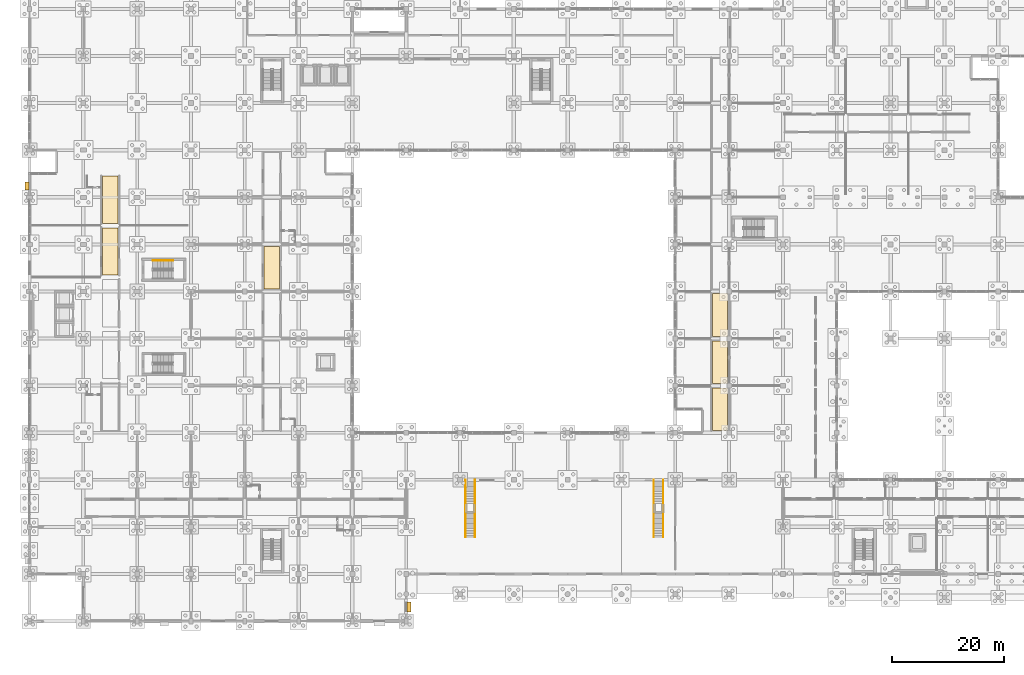
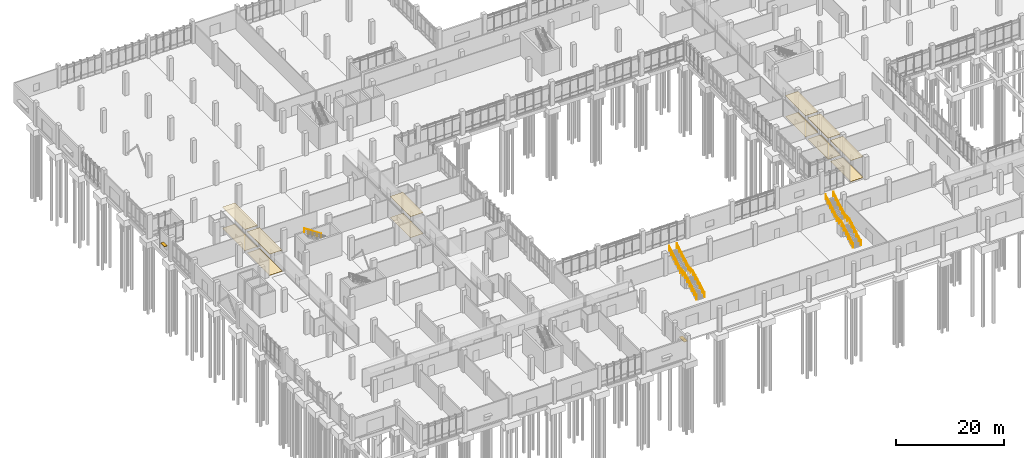
# One storey, part 125 of 136: 12 coverings, 9 railings, 2 shading devices.
"""IFC4 building model written with IfcOpenShell, lengths in metres."""

import ifcopenshell
import ifcopenshell.guid

model = None  # the IFC model being written
_history = None  # IfcOwnerHistory: only IFC2X3 demands one
_inside = {}  # id of a spatial element -> (the spatial element, [elements in it])
_under = {}  # id of a project, library or spatial element -> (it, [spatial elements below it])
_declared = {}  # id of a project -> (the project, [libraries it declares])
_typed = {}  # id of a type object -> (the type object, [elements of that type])
_made_of = {}  # id of a material, layer set ... -> (it, [elements and type objects made of it])


def new_model(schema):
    """Start an empty IFC model of exactly this schema.

    Asked for "IFC4X3", IfcOpenShell would pick the latest addendum, in which some entities
    have other attributes; the version numbers below select the first issue.
    IFC2X3 requires an IfcOwnerHistory on every rooted entity: one is made here for all.
    """
    global model, _history
    if schema == "IFC4X3":
        model = ifcopenshell.file(schema_version=(4, 3, 0, 0))
    else:
        model = ifcopenshell.file(schema=schema)
    _inside.clear()
    _under.clear()
    _declared.clear()
    _typed.clear()
    _made_of.clear()
    _history = None
    if model.schema == "IFC2X3":
        org = make("IfcOrganization", Name="unknown")
        user = make(
            "IfcPersonAndOrganization",
            ThePerson=make("IfcPerson", FamilyName="unknown"),
            TheOrganization=org,
        )
        app = make(
            "IfcApplication",
            ApplicationDeveloper=org,
            Version="unknown",
            ApplicationFullName="unknown",
            ApplicationIdentifier="unknown",
        )
        _history = make(
            "IfcOwnerHistory",
            OwningUser=user,
            OwningApplication=app,
            ChangeAction="ADDED",
            CreationDate=0,
        )
    return model


def make(cls, **values):
    """One entity of the class cls with the attributes given. An attribute that is None is left unset."""
    return model.create_entity(
        cls, **{name: value for name, value in values.items() if value is not None}
    )


def rooted(cls, **values):
    """An entity with a GlobalId (a new one), such as an element, a storey or a relation."""
    return make(cls, GlobalId=ifcopenshell.guid.new(), OwnerHistory=_history, **values)


def si_unit(unit_type, name, prefix=None):
    """IfcSIUnit, for example si_unit("LENGTHUNIT", "METRE", prefix="MILLI")."""
    return make("IfcSIUnit", UnitType=unit_type, Prefix=prefix, Name=name)


def assignment(units):
    """IfcUnitAssignment: the units of a project."""
    return None if units is None else make("IfcUnitAssignment", Units=units)


def point(xyz):
    """IfcCartesianPoint."""
    return None if xyz is None else make("IfcCartesianPoint", Coordinates=xyz)


def direction(xyz):
    """IfcDirection."""
    return None if xyz is None else make("IfcDirection", DirectionRatios=xyz)


def frame(location, z_axis=None, x_axis=None):
    """IfcAxis2Placement3D, a coordinate frame: its origin and axes. An axis left out is left unset."""
    return make(
        "IfcAxis2Placement3D",
        Location=point(location),
        Axis=direction(z_axis),
        RefDirection=direction(x_axis),
    )


def frame_2d(location, x_axis=None):
    """IfcAxis2Placement2D, a coordinate frame in the plane: its origin and x axis."""
    return make(
        "IfcAxis2Placement2D", Location=point(location), RefDirection=direction(x_axis)
    )


def origin():
    """The frame at (0, 0, 0) with its axes left unset."""
    return frame((0.0, 0.0, 0.0))


def origin_2d():
    """The frame at (0, 0) in the plane with its x axis left unset."""
    return frame_2d((0.0, 0.0))


def place(relative_to, where):
    """IfcLocalPlacement: puts the frame where relative to a parent placement (None: the world)."""
    return make(
        "IfcLocalPlacement", PlacementRelTo=relative_to, RelativePlacement=where
    )


def context(
    kind, dimensions, precision=None, world=None, true_north=None, identifier=None
):
    """IfcGeometricRepresentationContext, for example the 3D "Model" context."""
    return make(
        "IfcGeometricRepresentationContext",
        ContextIdentifier=identifier,
        ContextType=kind,
        CoordinateSpaceDimension=dimensions,
        Precision=precision,
        WorldCoordinateSystem=world,
        TrueNorth=true_north,
    )


def subcontext(parent, identifier, kind, view, scale=None):
    """IfcGeometricRepresentationSubContext, for example "Body" below "Model"."""
    return make(
        "IfcGeometricRepresentationSubContext",
        ContextIdentifier=identifier,
        ContextType=kind,
        ParentContext=parent,
        TargetScale=scale,
        TargetView=view,
    )


def project(units=None, contexts=None):
    """IfcProject with its units and contexts."""
    return rooted(
        "IfcProject",
        Name="project",
        RepresentationContexts=contexts,
        UnitsInContext=assignment(units),
    )


def spatial(cls, under=None, at=None, **own):
    """A site, building, storey or space (cls), placed at a placement, below another one or the project."""
    s = rooted(cls, ObjectPlacement=at, **own)
    if under is not None:
        _under.setdefault(under.id(), (under, []))[1].append(s)
    return s


def polyline(points):
    """IfcPolyline through the points."""
    return make("IfcPolyline", Points=[point(p) for p in points])


def profile(cls, at=None, kind="AREA", **sizes):
    """A parametric profile (cls). Its sizes go by their IFC names, for example OverallWidth=200.0."""
    return make(cls, ProfileType=kind, Position=at, **sizes)


def rectangle(**sizes):
    """IfcRectangleProfileDef."""
    return profile("IfcRectangleProfileDef", **sizes)


def circle(**sizes):
    """IfcCircleProfileDef."""
    return profile("IfcCircleProfileDef", **sizes)


def outline(outer, holes=None, kind="AREA"):
    """IfcArbitraryClosedProfileDef: a profile drawn as a closed curve; with holes, ...WithVoids."""
    if holes is None:
        return make("IfcArbitraryClosedProfileDef", ProfileType=kind, OuterCurve=outer)
    return make(
        "IfcArbitraryProfileDefWithVoids",
        ProfileType=kind,
        OuterCurve=outer,
        InnerCurves=holes,
    )


def extrude(swept, where, along, depth):
    """IfcExtrudedAreaSolid: the profile swept, set in the frame where, extruded along a direction by depth."""
    return make(
        "IfcExtrudedAreaSolid",
        SweptArea=swept,
        Position=where,
        ExtrudedDirection=direction(along),
        Depth=depth,
    )


def shape(context_of_items, identifier, shape_type, items):
    """IfcShapeRepresentation: the items that make up one representation, for example the "Body"."""
    return make(
        "IfcShapeRepresentation",
        ContextOfItems=context_of_items,
        RepresentationIdentifier=identifier,
        RepresentationType=shape_type,
        Items=items,
    )


def material(Name=None, Category=None):
    """IfcMaterial."""
    return make("IfcMaterial", Name=Name, Category=Category)


def layer(
    of_material, thickness, ventilated=None, Name=None, Category=None, Priority=None
):
    """IfcMaterialLayer: one layer of a wall or slab, of a material (None: an air gap)."""
    return make(
        "IfcMaterialLayer",
        Material=of_material,
        LayerThickness=thickness,
        IsVentilated=ventilated,
        Name=Name,
        Category=Category,
        Priority=Priority,
    )


def layer_set(layers, Name=None):
    """IfcMaterialLayerSet."""
    return make("IfcMaterialLayerSet", MaterialLayers=layers, LayerSetName=Name)


def made_of(thing, what):
    """Note that an element or type object is made of a material, layer set ...; save() writes the relation."""
    if what is not None:
        _made_of.setdefault(what.id(), (what, []))[1].append(thing)
    return thing


def type_object(cls, material=None, **own):
    """A type object (cls), such as IfcWallType, which elements share."""
    return made_of(rooted(cls, **own), material)


def element(
    cls,
    number,
    at=None,
    inside=None,
    cuts=None,
    type_object=None,
    material=None,
    context=None,
    identifier="Body",
    shape_type=None,
    held_by="IfcProductDefinitionShape",
    body=None,
    shapes=None,
    **own,
):
    """One element of the class cls, such as IfcWall. Its Tag is "e" and its number.

    at: its placement. inside: the storey or other place that contains it. cuts: it is an
    opening in that element (IfcRelVoidsElement). A single representation is given by context,
    identifier, shape_type and body (its items); several are given by shapes. held_by: the class
    of the entity that holds the representations. save() writes the other relations.
    """
    e = rooted(cls, Tag="e%d" % number, ObjectPlacement=at, **own)
    if body is not None:
        shapes = [shape(context, identifier, shape_type, body)]
    if shapes is not None:
        e.Representation = make(held_by, Representations=shapes)
    if inside is not None:
        _inside.setdefault(inside.id(), (inside, []))[1].append(e)
    if cuts is not None:
        rooted(
            "IfcRelVoidsElement", RelatingBuildingElement=cuts, RelatedOpeningElement=e
        )
    if type_object is not None:
        _typed.setdefault(type_object.id(), (type_object, []))[1].append(e)
    return made_of(e, material)


def aggregate(whole, parts):
    """IfcRelAggregates: a whole, such as a stair, and the parts it consists of."""
    return rooted("IfcRelAggregates", RelatingObject=whole, RelatedObjects=parts)


def save(model, path):
    """Write the relations noted so far, then the file.

    IfcRelAggregates (storeys below a building ...), IfcRelContainedInSpatialStructure (elements
    in a storey), IfcRelDefinesByType, IfcRelAssociatesMaterial and IfcRelDeclares: one each for
    every whole, place, type object, material and project.
    """
    for whole, parts in _under.values():
        aggregate(whole, parts)
    for where, things in _inside.values():
        rooted(
            "IfcRelContainedInSpatialStructure",
            RelatedElements=things,
            RelatingStructure=where,
        )
    for kind, things in _typed.values():
        rooted("IfcRelDefinesByType", RelatedObjects=things, RelatingType=kind)
    for what, things in _made_of.values():
        rooted("IfcRelAssociatesMaterial", RelatedObjects=things, RelatingMaterial=what)
    for by, libraries in _declared.values():
        rooted("IfcRelDeclares", RelatingContext=by, RelatedDefinitions=libraries)
    model.write(path)


model = new_model("IFC4")

# Units and contexts
model_context = context("Model", 3, precision=1e-05, world=origin(), true_north=direction((0.0, 1.0)))
body_context = subcontext(model_context, "Body", "Model", "MODEL_VIEW")
ifc_project = project(units=[si_unit("LENGTHUNIT", "METRE"), si_unit("AREAUNIT", "SQUARE_METRE"), si_unit("VOLUMEUNIT", "CUBIC_METRE"), si_unit("PLANEANGLEUNIT", "RADIAN"), si_unit("MASSUNIT", "GRAM", prefix="KILO")], contexts=[model_context])

# Site, building, storey
site_placement = place(None, origin())
site = spatial("IfcSite", under=ifc_project, at=site_placement, CompositionType="ELEMENT")
building_placement = place(site_placement, origin())
building = spatial("IfcBuilding", under=site, at=building_placement, Name="Oolite Switchyard Hospital", CompositionType="ELEMENT")
storey_placement = place(building_placement, origin())
storey = spatial("IfcBuildingStorey", under=building, at=storey_placement, Name="L00", CompositionType="ELEMENT", Elevation=0.0)

# Coverings
ifc_material_1 = material(Name="Hygienic washable mineral-fibre acoustic ceiling")
ifc_layer_1 = layer(ifc_material_1, 0.0400390625)
ifc_layer_set_1 = layer_set([ifc_layer_1], Name="COV-CEIL-AC60")
covering_type_1 = type_object("IfcCoveringType", Name="COV-CEIL-AC60", PredefinedType="CEILING", material=ifc_layer_set_1)
covering_1_placement = place(storey_placement, frame((0.0, 0.0, 4.760009765625)))
element("IfcCovering", 1, at=covering_1_placement, inside=storey, type_object=covering_type_1, Name="L00 Diagnostic Imaging Corridor Ceiling 4", PredefinedType="CEILING", context=body_context, shape_type="SweptSolid", body=[
    extrude(outline(polyline([(41.85009765625, 59.199951171875), (44.550048828125, 59.199951171875), (44.550048828125, 66.800048828125), (41.85009765625, 66.800048828125), (41.85009765625, 59.199951171875)])), origin(), (0.0, 0.0, 1.0), 0.0400390625),
])
covering_2_placement = place(storey_placement, frame((0.0, 0.0, 4.760009765625)))
element("IfcCovering", 2, at=covering_2_placement, inside=storey, type_object=covering_type_1, Name="L00 East Cloister Clinical and Exit Corridor L00 Ceiling 1", PredefinedType="CEILING", context=body_context, shape_type="SweptSolid", body=[
    extrude(outline(polyline([(121.85009765625, 34.0), (124.550048828125, 34.0), (124.550048828125, 41.60009765625), (121.85009765625, 41.60009765625), (121.85009765625, 34.0)])), origin(), (0.0, 0.0, 1.0), 0.0400390625),
])
covering_3_placement = place(storey_placement, frame((0.0, 0.0, 4.760009765625)))
element("IfcCovering", 3, at=covering_3_placement, inside=storey, type_object=covering_type_1, Name="L00 East Cloister Clinical and Exit Corridor L00 Ceiling 2", PredefinedType="CEILING", context=body_context, shape_type="SweptSolid", body=[
    extrude(outline(polyline([(121.85009765625, 42.39990234375), (124.550048828125, 42.39990234375), (124.550048828125, 50.0), (121.85009765625, 50.0), (121.85009765625, 42.39990234375)])), origin(), (0.0, 0.0, 1.0), 0.0400390625),
])
covering_4_placement = place(storey_placement, frame((0.0, 0.0, 4.760009765625)))
element("IfcCovering", 4, at=covering_4_placement, inside=storey, type_object=covering_type_1, Name="L00 East Cloister Clinical and Exit Corridor L00 Ceiling 3", PredefinedType="CEILING", context=body_context, shape_type="SweptSolid", body=[
    extrude(outline(polyline([(121.85009765625, 50.800048828125), (124.550048828125, 50.800048828125), (124.550048828125, 58.39990234375), (121.85009765625, 58.39990234375), (121.85009765625, 50.800048828125)])), origin(), (0.0, 0.0, 1.0), 0.0400390625),
])
covering_5_placement = place(storey_placement, frame((0.0, 0.0, 4.784912109375)))
element("IfcCovering", 5, at=covering_5_placement, inside=storey, type_object=covering_type_1, Name="L00 Renal Dialysis and Exit Corridor L00 Ceiling 4", PredefinedType="CEILING", context=body_context, shape_type="SweptSolid", body=[
    extrude(outline(polyline([(13.050048828125, 61.719970703125), (15.75, 61.719970703125), (15.75, 70.159912109375), (13.050048828125, 70.159912109375), (13.050048828125, 61.719970703125)])), origin(), (0.0, 0.0, 1.0), 0.0400390625),
])
covering_6_placement = place(storey_placement, frame((0.0, 0.0, 4.784912109375)))
element("IfcCovering", 6, at=covering_6_placement, inside=storey, type_object=covering_type_1, Name="L00 Renal Dialysis and Exit Corridor L00 Ceiling 5", PredefinedType="CEILING", context=body_context, shape_type="SweptSolid", body=[
    extrude(outline(polyline([(13.050048828125, 70.9599609375), (15.75, 70.9599609375), (15.75, 79.39990234375), (13.050048828125, 79.39990234375), (13.050048828125, 70.9599609375)])), origin(), (0.0, 0.0, 1.0), 0.0400390625),
])
ifc_material_2 = material(Name="Epoxy terrazzo seamless clinical flooring")
ifc_layer_2 = layer(ifc_material_2, 0.02001953125)
ifc_layer_set_2 = layer_set([ifc_layer_2], Name="COV-FLR-TER20")
covering_type_2 = type_object("IfcCoveringType", Name="COV-FLR-TER20", PredefinedType="FLOORING", material=ifc_layer_set_2)
covering_7_placement = place(storey_placement, origin())
element("IfcCovering", 7, at=covering_7_placement, inside=storey, type_object=covering_type_2, Name="L00 Diagnostic Imaging Corridor Flooring 4", PredefinedType="FLOORING", context=body_context, shape_type="SweptSolid", body=[
    extrude(outline(polyline([(41.85009765625, 59.199951171875), (44.550048828125, 59.199951171875), (44.550048828125, 66.800048828125), (41.85009765625, 66.800048828125), (41.85009765625, 59.199951171875)])), origin(), (0.0, 0.0, 1.0), 0.02001953125),
])
covering_8_placement = place(storey_placement, origin())
element("IfcCovering", 8, at=covering_8_placement, inside=storey, type_object=covering_type_2, Name="L00 East Cloister Clinical and Exit Corridor L00 Flooring 1", PredefinedType="FLOORING", context=body_context, shape_type="SweptSolid", body=[
    extrude(outline(polyline([(121.85009765625, 34.0), (124.550048828125, 34.0), (124.550048828125, 41.60009765625), (121.85009765625, 41.60009765625), (121.85009765625, 34.0)])), origin(), (0.0, 0.0, 1.0), 0.02001953125),
])
covering_9_placement = place(storey_placement, origin())
element("IfcCovering", 9, at=covering_9_placement, inside=storey, type_object=covering_type_2, Name="L00 East Cloister Clinical and Exit Corridor L00 Flooring 2", PredefinedType="FLOORING", context=body_context, shape_type="SweptSolid", body=[
    extrude(outline(polyline([(121.85009765625, 42.39990234375), (124.550048828125, 42.39990234375), (124.550048828125, 50.0), (121.85009765625, 50.0), (121.85009765625, 42.39990234375)])), origin(), (0.0, 0.0, 1.0), 0.02001953125),
])
covering_10_placement = place(storey_placement, origin())
element("IfcCovering", 10, at=covering_10_placement, inside=storey, type_object=covering_type_2, Name="L00 East Cloister Clinical and Exit Corridor L00 Flooring 3", PredefinedType="FLOORING", context=body_context, shape_type="SweptSolid", body=[
    extrude(outline(polyline([(121.85009765625, 50.800048828125), (124.550048828125, 50.800048828125), (124.550048828125, 58.39990234375), (121.85009765625, 58.39990234375), (121.85009765625, 50.800048828125)])), origin(), (0.0, 0.0, 1.0), 0.02001953125),
])
covering_11_placement = place(storey_placement, origin())
element("IfcCovering", 11, at=covering_11_placement, inside=storey, type_object=covering_type_2, Name="L00 Renal Dialysis and Exit Corridor L00 Flooring 4", PredefinedType="FLOORING", context=body_context, shape_type="SweptSolid", body=[
    extrude(outline(polyline([(13.050048828125, 61.719970703125), (15.75, 61.719970703125), (15.75, 70.159912109375), (13.050048828125, 70.159912109375), (13.050048828125, 61.719970703125)])), origin(), (0.0, 0.0, 1.0), 0.02001953125),
])
covering_12_placement = place(storey_placement, origin())
element("IfcCovering", 12, at=covering_12_placement, inside=storey, type_object=covering_type_2, Name="L00 Renal Dialysis and Exit Corridor L00 Flooring 5", PredefinedType="FLOORING", context=body_context, shape_type="SweptSolid", body=[
    extrude(outline(polyline([(13.050048828125, 70.9599609375), (15.75, 70.9599609375), (15.75, 79.39990234375), (13.050048828125, 79.39990234375), (13.050048828125, 70.9599609375)])), origin(), (0.0, 0.0, 1.0), 0.02001953125),
])

# Railings
ifc_material_3 = material(Name="Galvanized painted architectural steel handrail", Category="steel")
railing_type_1 = type_object("IfcRailingType", Name="RL-STAIR-GRD", PredefinedType="GUARDRAIL", material=ifc_material_3)
railing_1_placement = place(storey_placement, frame((77.75, 15.0, 0.169921875)))
element("IfcRailing", 13, at=railing_1_placement, inside=storey, type_object=railing_type_1, Name="ST-M01 Guard L", PredefinedType="GUARDRAIL", context=body_context, shape_type="SweptSolid", body=[
    extrude(circle(Radius=0.02392578125, at=origin_2d()), frame((0.0, 0.0, 1.076171875), z_axis=(0.0, 0.870008446991, 0.493036816236), x_axis=(-1.0, 0.0, 0.0)), (0.0, 0.0, 1.0), 4.827392578125),
    extrude(circle(Radius=0.015625, at=origin_2d()), frame((0.0, 0.0, 0.550048828125), z_axis=(0.0, 0.870008446991, 0.493036816236), x_axis=(-1.0, 0.0, 0.0)), (0.0, 0.0, 1.0), 4.827392578125),
    extrude(circle(Radius=0.02392578125, at=origin_2d()), frame((0.0, 4.199951171875, 3.4560546875), z_axis=(0.0, 1.0, 0.0), x_axis=(-1.0, 0.0, 0.0)), (0.0, 0.0, 1.0), 1.800048828125),
    extrude(circle(Radius=0.015625, at=origin_2d()), frame((0.0, 4.199951171875, 2.93017578125), z_axis=(0.0, 1.0, 0.0), x_axis=(-1.0, 0.0, 0.0)), (0.0, 0.0, 1.0), 1.800048828125),
    extrude(circle(Radius=0.02392578125, at=origin_2d()), frame((0.0, 6.0, 3.4560546875), z_axis=(0.0, 0.854780430106, 0.518989803665), x_axis=(-1.0, 0.0, 0.0)), (0.0, 0.0, 1.0), 4.91357421875),
    extrude(circle(Radius=0.015625, at=origin_2d()), frame((0.0, 6.0, 2.93017578125), z_axis=(0.0, 0.854780430106, 0.518989803665), x_axis=(-1.0, 0.0, 0.0)), (0.0, 0.0, 1.0), 4.91357421875),
    extrude(circle(Radius=0.02099609375, at=origin_2d()), origin(), (0.0, 0.0, 1.0), 1.052001953125),
    extrude(circle(Radius=0.02099609375, at=origin_2d()), frame((0.0, 0.840087890625, 0.47607421875)), (0.0, 0.0, 1.0), 1.052001953125),
    extrude(circle(Radius=0.02099609375, at=origin_2d()), frame((0.0, 1.679931640625, 0.9521484375)), (0.0, 0.0, 1.0), 1.052001953125),
    extrude(circle(Radius=0.02099609375, at=origin_2d()), frame((0.0, 2.52001953125, 1.427978515625)), (0.0, 0.0, 1.0), 1.052001953125),
    extrude(circle(Radius=0.02099609375, at=origin_2d()), frame((0.0, 3.35986328125, 1.904052734375)), (0.0, 0.0, 1.0), 1.052001953125),
    extrude(circle(Radius=0.02099609375, at=origin_2d()), frame((0.0, 4.199951171875, 2.380126953125)), (0.0, 0.0, 1.0), 1.052001953125),
    extrude(circle(Radius=0.02099609375, at=origin_2d()), frame((0.0, 5.10009765625, 2.380126953125)), (0.0, 0.0, 1.0), 1.052001953125),
    extrude(circle(Radius=0.02099609375, at=origin_2d()), frame((0.0, 6.0, 2.380126953125)), (0.0, 0.0, 1.0), 1.052001953125),
    extrude(circle(Radius=0.02099609375, at=origin_2d()), frame((0.0, 6.840087890625, 2.89013671875)), (0.0, 0.0, 1.0), 1.052001953125),
    extrude(circle(Radius=0.02099609375, at=origin_2d()), frame((0.0, 7.679931640625, 3.400146484375)), (0.0, 0.0, 1.0), 1.052001953125),
    extrude(circle(Radius=0.02099609375, at=origin_2d()), frame((0.0, 8.52001953125, 3.91015625)), (0.0, 0.0, 1.0), 1.052001953125),
    extrude(circle(Radius=0.02099609375, at=origin_2d()), frame((0.0, 9.35986328125, 4.420166015625)), (0.0, 0.0, 1.0), 1.052001953125),
    extrude(circle(Radius=0.02099609375, at=origin_2d()), frame((0.0, 10.199951171875, 4.93017578125)), (0.0, 0.0, 1.0), 1.052001953125),
])
railing_2_placement = place(storey_placement, frame((79.449951171875, 15.0, 0.169921875)))
element("IfcRailing", 14, at=railing_2_placement, inside=storey, type_object=railing_type_1, Name="ST-M01 Guard R", PredefinedType="GUARDRAIL", context=body_context, shape_type="SweptSolid", body=[
    extrude(circle(Radius=0.02392578125, at=origin_2d()), frame((0.0, 0.0, 1.076171875), z_axis=(0.0, 0.870008446991, 0.493036816236), x_axis=(-1.0, 0.0, 0.0)), (0.0, 0.0, 1.0), 4.827392578125),
    extrude(circle(Radius=0.015625, at=origin_2d()), frame((0.0, 0.0, 0.550048828125), z_axis=(0.0, 0.870008446991, 0.493036816236), x_axis=(-1.0, 0.0, 0.0)), (0.0, 0.0, 1.0), 4.827392578125),
    extrude(circle(Radius=0.02392578125, at=origin_2d()), frame((0.0, 4.199951171875, 3.4560546875), z_axis=(0.0, 1.0, 0.0), x_axis=(-1.0, 0.0, 0.0)), (0.0, 0.0, 1.0), 1.800048828125),
    extrude(circle(Radius=0.015625, at=origin_2d()), frame((0.0, 4.199951171875, 2.93017578125), z_axis=(0.0, 1.0, 0.0), x_axis=(-1.0, 0.0, 0.0)), (0.0, 0.0, 1.0), 1.800048828125),
    extrude(circle(Radius=0.02392578125, at=origin_2d()), frame((0.0, 6.0, 3.4560546875), z_axis=(0.0, 0.854780430106, 0.518989803665), x_axis=(-1.0, 0.0, 0.0)), (0.0, 0.0, 1.0), 4.91357421875),
    extrude(circle(Radius=0.015625, at=origin_2d()), frame((0.0, 6.0, 2.93017578125), z_axis=(0.0, 0.854780430106, 0.518989803665), x_axis=(-1.0, 0.0, 0.0)), (0.0, 0.0, 1.0), 4.91357421875),
    extrude(circle(Radius=0.02099609375, at=origin_2d()), origin(), (0.0, 0.0, 1.0), 1.052001953125),
    extrude(circle(Radius=0.02099609375, at=origin_2d()), frame((0.0, 0.840087890625, 0.47607421875)), (0.0, 0.0, 1.0), 1.052001953125),
    extrude(circle(Radius=0.02099609375, at=origin_2d()), frame((0.0, 1.679931640625, 0.9521484375)), (0.0, 0.0, 1.0), 1.052001953125),
    extrude(circle(Radius=0.02099609375, at=origin_2d()), frame((0.0, 2.52001953125, 1.427978515625)), (0.0, 0.0, 1.0), 1.052001953125),
    extrude(circle(Radius=0.02099609375, at=origin_2d()), frame((0.0, 3.35986328125, 1.904052734375)), (0.0, 0.0, 1.0), 1.052001953125),
    extrude(circle(Radius=0.02099609375, at=origin_2d()), frame((0.0, 4.199951171875, 2.380126953125)), (0.0, 0.0, 1.0), 1.052001953125),
    extrude(circle(Radius=0.02099609375, at=origin_2d()), frame((0.0, 5.10009765625, 2.380126953125)), (0.0, 0.0, 1.0), 1.052001953125),
    extrude(circle(Radius=0.02099609375, at=origin_2d()), frame((0.0, 6.0, 2.380126953125)), (0.0, 0.0, 1.0), 1.052001953125),
    extrude(circle(Radius=0.02099609375, at=origin_2d()), frame((0.0, 6.840087890625, 2.89013671875)), (0.0, 0.0, 1.0), 1.052001953125),
    extrude(circle(Radius=0.02099609375, at=origin_2d()), frame((0.0, 7.679931640625, 3.400146484375)), (0.0, 0.0, 1.0), 1.052001953125),
    extrude(circle(Radius=0.02099609375, at=origin_2d()), frame((0.0, 8.52001953125, 3.91015625)), (0.0, 0.0, 1.0), 1.052001953125),
    extrude(circle(Radius=0.02099609375, at=origin_2d()), frame((0.0, 9.35986328125, 4.420166015625)), (0.0, 0.0, 1.0), 1.052001953125),
    extrude(circle(Radius=0.02099609375, at=origin_2d()), frame((0.0, 10.199951171875, 4.93017578125)), (0.0, 0.0, 1.0), 1.052001953125),
])
railing_3_placement = place(storey_placement, frame((111.35009765625, 15.0, 0.169921875)))
element("IfcRailing", 15, at=railing_3_placement, inside=storey, type_object=railing_type_1, Name="ST-M02 Guard L", PredefinedType="GUARDRAIL", context=body_context, shape_type="SweptSolid", body=[
    extrude(circle(Radius=0.02392578125, at=origin_2d()), frame((0.0, 0.0, 1.076171875), z_axis=(0.0, 0.870008446991, 0.493036816236), x_axis=(-1.0, 0.0, 0.0)), (0.0, 0.0, 1.0), 4.827392578125),
    extrude(circle(Radius=0.015625, at=origin_2d()), frame((0.0, 0.0, 0.550048828125), z_axis=(0.0, 0.870008446991, 0.493036816236), x_axis=(-1.0, 0.0, 0.0)), (0.0, 0.0, 1.0), 4.827392578125),
    extrude(circle(Radius=0.02392578125, at=origin_2d()), frame((0.0, 4.199951171875, 3.4560546875), z_axis=(0.0, 1.0, 0.0), x_axis=(-1.0, 0.0, 0.0)), (0.0, 0.0, 1.0), 1.800048828125),
    extrude(circle(Radius=0.015625, at=origin_2d()), frame((0.0, 4.199951171875, 2.93017578125), z_axis=(0.0, 1.0, 0.0), x_axis=(-1.0, 0.0, 0.0)), (0.0, 0.0, 1.0), 1.800048828125),
    extrude(circle(Radius=0.02392578125, at=origin_2d()), frame((0.0, 6.0, 3.4560546875), z_axis=(0.0, 0.854780430106, 0.518989803665), x_axis=(-1.0, 0.0, 0.0)), (0.0, 0.0, 1.0), 4.91357421875),
    extrude(circle(Radius=0.015625, at=origin_2d()), frame((0.0, 6.0, 2.93017578125), z_axis=(0.0, 0.854780430106, 0.518989803665), x_axis=(-1.0, 0.0, 0.0)), (0.0, 0.0, 1.0), 4.91357421875),
    extrude(circle(Radius=0.02099609375, at=origin_2d()), origin(), (0.0, 0.0, 1.0), 1.052001953125),
    extrude(circle(Radius=0.02099609375, at=origin_2d()), frame((0.0, 0.840087890625, 0.47607421875)), (0.0, 0.0, 1.0), 1.052001953125),
    extrude(circle(Radius=0.02099609375, at=origin_2d()), frame((0.0, 1.679931640625, 0.9521484375)), (0.0, 0.0, 1.0), 1.052001953125),
    extrude(circle(Radius=0.02099609375, at=origin_2d()), frame((0.0, 2.52001953125, 1.427978515625)), (0.0, 0.0, 1.0), 1.052001953125),
    extrude(circle(Radius=0.02099609375, at=origin_2d()), frame((0.0, 3.35986328125, 1.904052734375)), (0.0, 0.0, 1.0), 1.052001953125),
    extrude(circle(Radius=0.02099609375, at=origin_2d()), frame((0.0, 4.199951171875, 2.380126953125)), (0.0, 0.0, 1.0), 1.052001953125),
    extrude(circle(Radius=0.02099609375, at=origin_2d()), frame((0.0, 5.10009765625, 2.380126953125)), (0.0, 0.0, 1.0), 1.052001953125),
    extrude(circle(Radius=0.02099609375, at=origin_2d()), frame((0.0, 6.0, 2.380126953125)), (0.0, 0.0, 1.0), 1.052001953125),
    extrude(circle(Radius=0.02099609375, at=origin_2d()), frame((0.0, 6.840087890625, 2.89013671875)), (0.0, 0.0, 1.0), 1.052001953125),
    extrude(circle(Radius=0.02099609375, at=origin_2d()), frame((0.0, 7.679931640625, 3.400146484375)), (0.0, 0.0, 1.0), 1.052001953125),
    extrude(circle(Radius=0.02099609375, at=origin_2d()), frame((0.0, 8.52001953125, 3.91015625)), (0.0, 0.0, 1.0), 1.052001953125),
    extrude(circle(Radius=0.02099609375, at=origin_2d()), frame((0.0, 9.35986328125, 4.420166015625)), (0.0, 0.0, 1.0), 1.052001953125),
    extrude(circle(Radius=0.02099609375, at=origin_2d()), frame((0.0, 10.199951171875, 4.93017578125)), (0.0, 0.0, 1.0), 1.052001953125),
])
railing_4_placement = place(storey_placement, frame((113.050048828125, 15.0, 0.169921875)))
element("IfcRailing", 16, at=railing_4_placement, inside=storey, type_object=railing_type_1, Name="ST-M02 Guard R", PredefinedType="GUARDRAIL", context=body_context, shape_type="SweptSolid", body=[
    extrude(circle(Radius=0.02392578125, at=origin_2d()), frame((0.0, 0.0, 1.076171875), z_axis=(0.0, 0.870008446991, 0.493036816236), x_axis=(-1.0, 0.0, 0.0)), (0.0, 0.0, 1.0), 4.827392578125),
    extrude(circle(Radius=0.015625, at=origin_2d()), frame((0.0, 0.0, 0.550048828125), z_axis=(0.0, 0.870008446991, 0.493036816236), x_axis=(-1.0, 0.0, 0.0)), (0.0, 0.0, 1.0), 4.827392578125),
    extrude(circle(Radius=0.02392578125, at=origin_2d()), frame((0.0, 4.199951171875, 3.4560546875), z_axis=(0.0, 1.0, 0.0), x_axis=(-1.0, 0.0, 0.0)), (0.0, 0.0, 1.0), 1.800048828125),
    extrude(circle(Radius=0.015625, at=origin_2d()), frame((0.0, 4.199951171875, 2.93017578125), z_axis=(0.0, 1.0, 0.0), x_axis=(-1.0, 0.0, 0.0)), (0.0, 0.0, 1.0), 1.800048828125),
    extrude(circle(Radius=0.02392578125, at=origin_2d()), frame((0.0, 6.0, 3.4560546875), z_axis=(0.0, 0.854780430106, 0.518989803665), x_axis=(-1.0, 0.0, 0.0)), (0.0, 0.0, 1.0), 4.91357421875),
    extrude(circle(Radius=0.015625, at=origin_2d()), frame((0.0, 6.0, 2.93017578125), z_axis=(0.0, 0.854780430106, 0.518989803665), x_axis=(-1.0, 0.0, 0.0)), (0.0, 0.0, 1.0), 4.91357421875),
    extrude(circle(Radius=0.02099609375, at=origin_2d()), origin(), (0.0, 0.0, 1.0), 1.052001953125),
    extrude(circle(Radius=0.02099609375, at=origin_2d()), frame((0.0, 0.840087890625, 0.47607421875)), (0.0, 0.0, 1.0), 1.052001953125),
    extrude(circle(Radius=0.02099609375, at=origin_2d()), frame((0.0, 1.679931640625, 0.9521484375)), (0.0, 0.0, 1.0), 1.052001953125),
    extrude(circle(Radius=0.02099609375, at=origin_2d()), frame((0.0, 2.52001953125, 1.427978515625)), (0.0, 0.0, 1.0), 1.052001953125),
    extrude(circle(Radius=0.02099609375, at=origin_2d()), frame((0.0, 3.35986328125, 1.904052734375)), (0.0, 0.0, 1.0), 1.052001953125),
    extrude(circle(Radius=0.02099609375, at=origin_2d()), frame((0.0, 4.199951171875, 2.380126953125)), (0.0, 0.0, 1.0), 1.052001953125),
    extrude(circle(Radius=0.02099609375, at=origin_2d()), frame((0.0, 5.10009765625, 2.380126953125)), (0.0, 0.0, 1.0), 1.052001953125),
    extrude(circle(Radius=0.02099609375, at=origin_2d()), frame((0.0, 6.0, 2.380126953125)), (0.0, 0.0, 1.0), 1.052001953125),
    extrude(circle(Radius=0.02099609375, at=origin_2d()), frame((0.0, 6.840087890625, 2.89013671875)), (0.0, 0.0, 1.0), 1.052001953125),
    extrude(circle(Radius=0.02099609375, at=origin_2d()), frame((0.0, 7.679931640625, 3.400146484375)), (0.0, 0.0, 1.0), 1.052001953125),
    extrude(circle(Radius=0.02099609375, at=origin_2d()), frame((0.0, 8.52001953125, 3.91015625)), (0.0, 0.0, 1.0), 1.052001953125),
    extrude(circle(Radius=0.02099609375, at=origin_2d()), frame((0.0, 9.35986328125, 4.420166015625)), (0.0, 0.0, 1.0), 1.052001953125),
    extrude(circle(Radius=0.02099609375, at=origin_2d()), frame((0.0, 10.199951171875, 4.93017578125)), (0.0, 0.0, 1.0), 1.052001953125),
])
railing_type_2 = type_object("IfcRailingType", Name="RL-STAIR-HND", PredefinedType="HANDRAIL", material=ifc_material_3)
railing_5_placement = place(storey_placement, frame((25.60009765625, 64.31005859375, 2.732177734375)))
element("IfcRailing", 17, at=railing_5_placement, inside=storey, type_object=railing_type_2, Name="L00 ST-02 stair handrail 2", PredefinedType="HANDRAIL", context=body_context, shape_type="SweptSolid", body=[
    extrude(circle(Radius=0.02392578125, at=origin_2d()), frame((0.0, 0.0, 0.8759765625), z_axis=(-0.83825089185, 0.0, 0.545284735081), x_axis=(0.0, -1.0, 0.0)), (0.0, 0.0, 1.0), 4.342529296875),
    extrude(circle(Radius=0.02099609375, at=origin_2d()), origin(), (0.0, 0.0, 1.0), 0.851806640625),
    extrude(circle(Radius=0.02099609375, at=origin_2d()), frame((-0.91015625, 0.0, 0.592041015625)), (0.0, 0.0, 1.0), 0.851806640625),
    extrude(circle(Radius=0.02099609375, at=origin_2d()), frame((-1.820068359375, 0.0, 1.18408203125)), (0.0, 0.0, 1.0), 0.851806640625),
    extrude(circle(Radius=0.02099609375, at=origin_2d()), frame((-2.72998046875, 0.0, 1.77587890625)), (0.0, 0.0, 1.0), 0.851806640625),
    extrude(circle(Radius=0.02099609375, at=origin_2d()), frame((-3.64013671875, 0.0, 2.367919921875)), (0.0, 0.0, 1.0), 0.851806640625),
])
railing_6_placement = place(storey_placement, frame((77.75, 15.0, 0.169921875)))
element("IfcRailing", 18, at=railing_6_placement, inside=storey, type_object=railing_type_2, Name="ST-M01 Handrail L", PredefinedType="HANDRAIL", context=body_context, shape_type="SweptSolid", body=[
    extrude(circle(Radius=0.02392578125, at=origin_2d()), frame((0.0, 0.0, 0.8759765625), z_axis=(0.0, 0.870008446991, 0.493036816236), x_axis=(-1.0, 0.0, 0.0)), (0.0, 0.0, 1.0), 4.827392578125),
    extrude(circle(Radius=0.02392578125, at=origin_2d()), frame((0.0, 4.199951171875, 3.255859375), z_axis=(0.0, 1.0, 0.0), x_axis=(-1.0, 0.0, 0.0)), (0.0, 0.0, 1.0), 1.800048828125),
    extrude(circle(Radius=0.02392578125, at=origin_2d()), frame((0.0, 6.0, 3.255859375), z_axis=(0.0, 0.854780430106, 0.518989803665), x_axis=(-1.0, 0.0, 0.0)), (0.0, 0.0, 1.0), 4.91357421875),
    extrude(circle(Radius=0.02099609375, at=origin_2d()), origin(), (0.0, 0.0, 1.0), 0.851806640625),
    extrude(circle(Radius=0.02099609375, at=origin_2d()), frame((0.0, 0.840087890625, 0.47607421875)), (0.0, 0.0, 1.0), 0.851806640625),
    extrude(circle(Radius=0.02099609375, at=origin_2d()), frame((0.0, 1.679931640625, 0.9521484375)), (0.0, 0.0, 1.0), 0.851806640625),
    extrude(circle(Radius=0.02099609375, at=origin_2d()), frame((0.0, 2.52001953125, 1.427978515625)), (0.0, 0.0, 1.0), 0.851806640625),
    extrude(circle(Radius=0.02099609375, at=origin_2d()), frame((0.0, 3.35986328125, 1.904052734375)), (0.0, 0.0, 1.0), 0.851806640625),
    extrude(circle(Radius=0.02099609375, at=origin_2d()), frame((0.0, 4.199951171875, 2.380126953125)), (0.0, 0.0, 1.0), 0.851806640625),
    extrude(circle(Radius=0.02099609375, at=origin_2d()), frame((0.0, 5.10009765625, 2.380126953125)), (0.0, 0.0, 1.0), 0.851806640625),
    extrude(circle(Radius=0.02099609375, at=origin_2d()), frame((0.0, 6.0, 2.380126953125)), (0.0, 0.0, 1.0), 0.851806640625),
    extrude(circle(Radius=0.02099609375, at=origin_2d()), frame((0.0, 6.840087890625, 2.89013671875)), (0.0, 0.0, 1.0), 0.851806640625),
    extrude(circle(Radius=0.02099609375, at=origin_2d()), frame((0.0, 7.679931640625, 3.400146484375)), (0.0, 0.0, 1.0), 0.851806640625),
    extrude(circle(Radius=0.02099609375, at=origin_2d()), frame((0.0, 8.52001953125, 3.91015625)), (0.0, 0.0, 1.0), 0.851806640625),
    extrude(circle(Radius=0.02099609375, at=origin_2d()), frame((0.0, 9.35986328125, 4.420166015625)), (0.0, 0.0, 1.0), 0.851806640625),
    extrude(circle(Radius=0.02099609375, at=origin_2d()), frame((0.0, 10.199951171875, 4.93017578125)), (0.0, 0.0, 1.0), 0.851806640625),
])
railing_7_placement = place(storey_placement, frame((79.449951171875, 15.0, 0.169921875)))
element("IfcRailing", 19, at=railing_7_placement, inside=storey, type_object=railing_type_2, Name="ST-M01 Handrail R", PredefinedType="HANDRAIL", context=body_context, shape_type="SweptSolid", body=[
    extrude(circle(Radius=0.02392578125, at=origin_2d()), frame((0.0, 0.0, 0.8759765625), z_axis=(0.0, 0.870008446991, 0.493036816236), x_axis=(-1.0, 0.0, 0.0)), (0.0, 0.0, 1.0), 4.827392578125),
    extrude(circle(Radius=0.02392578125, at=origin_2d()), frame((0.0, 4.199951171875, 3.255859375), z_axis=(0.0, 1.0, 0.0), x_axis=(-1.0, 0.0, 0.0)), (0.0, 0.0, 1.0), 1.800048828125),
    extrude(circle(Radius=0.02392578125, at=origin_2d()), frame((0.0, 6.0, 3.255859375), z_axis=(0.0, 0.854780430106, 0.518989803665), x_axis=(-1.0, 0.0, 0.0)), (0.0, 0.0, 1.0), 4.91357421875),
    extrude(circle(Radius=0.02099609375, at=origin_2d()), origin(), (0.0, 0.0, 1.0), 0.851806640625),
    extrude(circle(Radius=0.02099609375, at=origin_2d()), frame((0.0, 0.840087890625, 0.47607421875)), (0.0, 0.0, 1.0), 0.851806640625),
    extrude(circle(Radius=0.02099609375, at=origin_2d()), frame((0.0, 1.679931640625, 0.9521484375)), (0.0, 0.0, 1.0), 0.851806640625),
    extrude(circle(Radius=0.02099609375, at=origin_2d()), frame((0.0, 2.52001953125, 1.427978515625)), (0.0, 0.0, 1.0), 0.851806640625),
    extrude(circle(Radius=0.02099609375, at=origin_2d()), frame((0.0, 3.35986328125, 1.904052734375)), (0.0, 0.0, 1.0), 0.851806640625),
    extrude(circle(Radius=0.02099609375, at=origin_2d()), frame((0.0, 4.199951171875, 2.380126953125)), (0.0, 0.0, 1.0), 0.851806640625),
    extrude(circle(Radius=0.02099609375, at=origin_2d()), frame((0.0, 5.10009765625, 2.380126953125)), (0.0, 0.0, 1.0), 0.851806640625),
    extrude(circle(Radius=0.02099609375, at=origin_2d()), frame((0.0, 6.0, 2.380126953125)), (0.0, 0.0, 1.0), 0.851806640625),
    extrude(circle(Radius=0.02099609375, at=origin_2d()), frame((0.0, 6.840087890625, 2.89013671875)), (0.0, 0.0, 1.0), 0.851806640625),
    extrude(circle(Radius=0.02099609375, at=origin_2d()), frame((0.0, 7.679931640625, 3.400146484375)), (0.0, 0.0, 1.0), 0.851806640625),
    extrude(circle(Radius=0.02099609375, at=origin_2d()), frame((0.0, 8.52001953125, 3.91015625)), (0.0, 0.0, 1.0), 0.851806640625),
    extrude(circle(Radius=0.02099609375, at=origin_2d()), frame((0.0, 9.35986328125, 4.420166015625)), (0.0, 0.0, 1.0), 0.851806640625),
    extrude(circle(Radius=0.02099609375, at=origin_2d()), frame((0.0, 10.199951171875, 4.93017578125)), (0.0, 0.0, 1.0), 0.851806640625),
])
railing_8_placement = place(storey_placement, frame((111.35009765625, 15.0, 0.169921875)))
element("IfcRailing", 20, at=railing_8_placement, inside=storey, type_object=railing_type_2, Name="ST-M02 Handrail L", PredefinedType="HANDRAIL", context=body_context, shape_type="SweptSolid", body=[
    extrude(circle(Radius=0.02392578125, at=origin_2d()), frame((0.0, 0.0, 0.8759765625), z_axis=(0.0, 0.870008446991, 0.493036816236), x_axis=(-1.0, 0.0, 0.0)), (0.0, 0.0, 1.0), 4.827392578125),
    extrude(circle(Radius=0.02392578125, at=origin_2d()), frame((0.0, 4.199951171875, 3.255859375), z_axis=(0.0, 1.0, 0.0), x_axis=(-1.0, 0.0, 0.0)), (0.0, 0.0, 1.0), 1.800048828125),
    extrude(circle(Radius=0.02392578125, at=origin_2d()), frame((0.0, 6.0, 3.255859375), z_axis=(0.0, 0.854780430106, 0.518989803665), x_axis=(-1.0, 0.0, 0.0)), (0.0, 0.0, 1.0), 4.91357421875),
    extrude(circle(Radius=0.02099609375, at=origin_2d()), origin(), (0.0, 0.0, 1.0), 0.851806640625),
    extrude(circle(Radius=0.02099609375, at=origin_2d()), frame((0.0, 0.840087890625, 0.47607421875)), (0.0, 0.0, 1.0), 0.851806640625),
    extrude(circle(Radius=0.02099609375, at=origin_2d()), frame((0.0, 1.679931640625, 0.9521484375)), (0.0, 0.0, 1.0), 0.851806640625),
    extrude(circle(Radius=0.02099609375, at=origin_2d()), frame((0.0, 2.52001953125, 1.427978515625)), (0.0, 0.0, 1.0), 0.851806640625),
    extrude(circle(Radius=0.02099609375, at=origin_2d()), frame((0.0, 3.35986328125, 1.904052734375)), (0.0, 0.0, 1.0), 0.851806640625),
    extrude(circle(Radius=0.02099609375, at=origin_2d()), frame((0.0, 4.199951171875, 2.380126953125)), (0.0, 0.0, 1.0), 0.851806640625),
    extrude(circle(Radius=0.02099609375, at=origin_2d()), frame((0.0, 5.10009765625, 2.380126953125)), (0.0, 0.0, 1.0), 0.851806640625),
    extrude(circle(Radius=0.02099609375, at=origin_2d()), frame((0.0, 6.0, 2.380126953125)), (0.0, 0.0, 1.0), 0.851806640625),
    extrude(circle(Radius=0.02099609375, at=origin_2d()), frame((0.0, 6.840087890625, 2.89013671875)), (0.0, 0.0, 1.0), 0.851806640625),
    extrude(circle(Radius=0.02099609375, at=origin_2d()), frame((0.0, 7.679931640625, 3.400146484375)), (0.0, 0.0, 1.0), 0.851806640625),
    extrude(circle(Radius=0.02099609375, at=origin_2d()), frame((0.0, 8.52001953125, 3.91015625)), (0.0, 0.0, 1.0), 0.851806640625),
    extrude(circle(Radius=0.02099609375, at=origin_2d()), frame((0.0, 9.35986328125, 4.420166015625)), (0.0, 0.0, 1.0), 0.851806640625),
    extrude(circle(Radius=0.02099609375, at=origin_2d()), frame((0.0, 10.199951171875, 4.93017578125)), (0.0, 0.0, 1.0), 0.851806640625),
])
railing_9_placement = place(storey_placement, frame((113.050048828125, 15.0, 0.169921875)))
element("IfcRailing", 21, at=railing_9_placement, inside=storey, type_object=railing_type_2, Name="ST-M02 Handrail R", PredefinedType="HANDRAIL", context=body_context, shape_type="SweptSolid", body=[
    extrude(circle(Radius=0.02392578125, at=origin_2d()), frame((0.0, 0.0, 0.8759765625), z_axis=(0.0, 0.870008446991, 0.493036816236), x_axis=(-1.0, 0.0, 0.0)), (0.0, 0.0, 1.0), 4.827392578125),
    extrude(circle(Radius=0.02392578125, at=origin_2d()), frame((0.0, 4.199951171875, 3.255859375), z_axis=(0.0, 1.0, 0.0), x_axis=(-1.0, 0.0, 0.0)), (0.0, 0.0, 1.0), 1.800048828125),
    extrude(circle(Radius=0.02392578125, at=origin_2d()), frame((0.0, 6.0, 3.255859375), z_axis=(0.0, 0.854780430106, 0.518989803665), x_axis=(-1.0, 0.0, 0.0)), (0.0, 0.0, 1.0), 4.91357421875),
    extrude(circle(Radius=0.02099609375, at=origin_2d()), origin(), (0.0, 0.0, 1.0), 0.851806640625),
    extrude(circle(Radius=0.02099609375, at=origin_2d()), frame((0.0, 0.840087890625, 0.47607421875)), (0.0, 0.0, 1.0), 0.851806640625),
    extrude(circle(Radius=0.02099609375, at=origin_2d()), frame((0.0, 1.679931640625, 0.9521484375)), (0.0, 0.0, 1.0), 0.851806640625),
    extrude(circle(Radius=0.02099609375, at=origin_2d()), frame((0.0, 2.52001953125, 1.427978515625)), (0.0, 0.0, 1.0), 0.851806640625),
    extrude(circle(Radius=0.02099609375, at=origin_2d()), frame((0.0, 3.35986328125, 1.904052734375)), (0.0, 0.0, 1.0), 0.851806640625),
    extrude(circle(Radius=0.02099609375, at=origin_2d()), frame((0.0, 4.199951171875, 2.380126953125)), (0.0, 0.0, 1.0), 0.851806640625),
    extrude(circle(Radius=0.02099609375, at=origin_2d()), frame((0.0, 5.10009765625, 2.380126953125)), (0.0, 0.0, 1.0), 0.851806640625),
    extrude(circle(Radius=0.02099609375, at=origin_2d()), frame((0.0, 6.0, 2.380126953125)), (0.0, 0.0, 1.0), 0.851806640625),
    extrude(circle(Radius=0.02099609375, at=origin_2d()), frame((0.0, 6.840087890625, 2.89013671875)), (0.0, 0.0, 1.0), 0.851806640625),
    extrude(circle(Radius=0.02099609375, at=origin_2d()), frame((0.0, 7.679931640625, 3.400146484375)), (0.0, 0.0, 1.0), 0.851806640625),
    extrude(circle(Radius=0.02099609375, at=origin_2d()), frame((0.0, 8.52001953125, 3.91015625)), (0.0, 0.0, 1.0), 0.851806640625),
    extrude(circle(Radius=0.02099609375, at=origin_2d()), frame((0.0, 9.35986328125, 4.420166015625)), (0.0, 0.0, 1.0), 0.851806640625),
    extrude(circle(Radius=0.02099609375, at=origin_2d()), frame((0.0, 10.199951171875, 4.93017578125)), (0.0, 0.0, 1.0), 0.851806640625),
])

# Shading devices
ifc_material_4 = material(Name="Precast oolitic limestone architectural concrete C40/50", Category="masonry")
ifc_layer_3 = layer(ifc_material_4, 0.1201171875)
ifc_layer_set_3 = layer_set([ifc_layer_3], Name="SHD-BRISE-900")
shading_device_type = type_object("IfcShadingDeviceType", Name="SHD-BRISE-900", PredefinedType="AWNING", material=ifc_layer_set_3)
shading_device_1_placement = place(storey_placement, frame((-0.47998046875, 77.6201171875, 2.06005859375), z_axis=(0.0, 0.0, 1.0), x_axis=(0.0, 1.0, 0.0)))
element("IfcShadingDevice", 22, at=shading_device_1_placement, inside=storey, type_object=shading_device_type, Name="L00 Classical Brise-Soleil Sunshade 8", PredefinedType="AWNING", context=body_context, shape_type="SweptSolid", body=[
    extrude(rectangle(XDim=1.389892578125, YDim=0.699951171875, at=origin_2d()), origin(), (0.0, 0.0, 1.0), 0.1201171875),
])
shading_device_2_placement = place(storey_placement, frame((67.7099609375, 2.514892578125, 2.260009765625), z_axis=(0.0, 0.0, 1.0), x_axis=(0.0, 1.0, 0.0)))
element("IfcShadingDevice", 23, at=shading_device_2_placement, inside=storey, type_object=shading_device_type, Name="L00 Classical Brise-Soleil Sunshade 11", PredefinedType="AWNING", context=body_context, shape_type="SweptSolid", body=[
    extrude(rectangle(XDim=1.840087890625, YDim=0.699951171875, at=origin_2d()), origin(), (0.0, 0.0, 1.0), 0.1201171875),
])

save(model, "model.ifc")
